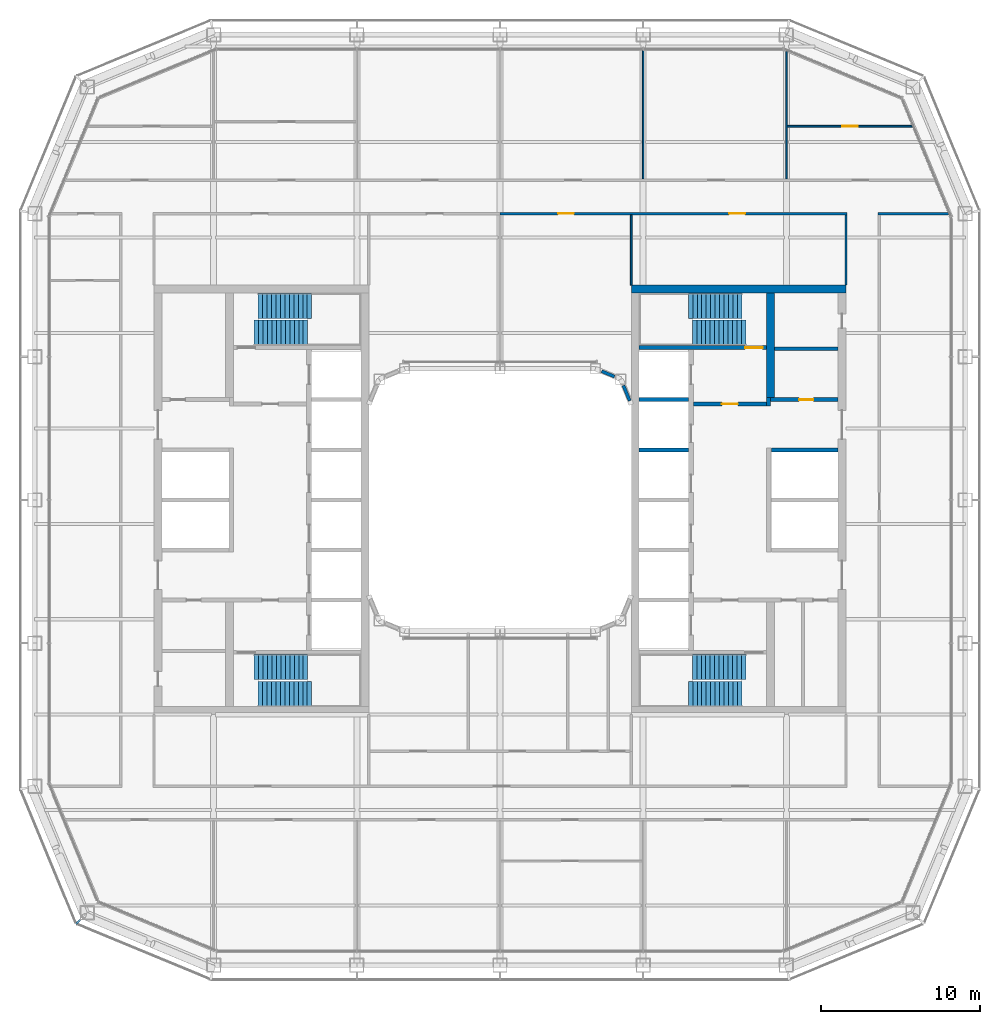
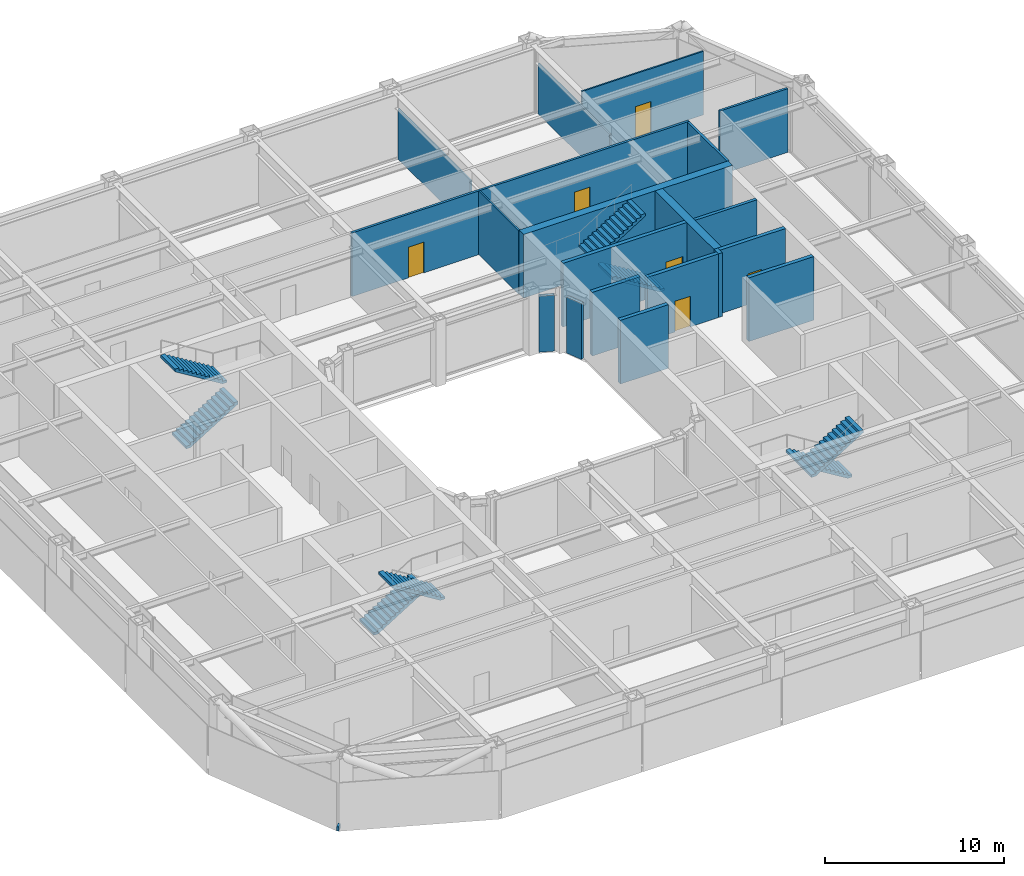
# One storey, part 14 of 21: 19 walls, 8 stair flights, 6 doors, 1 discrete accessory, 6 openings, 4 elements without a shape of their own.
"""IFC4 building model written with IfcOpenShell, lengths in metres."""

from ifc_helpers import new_model, si_unit, direction, frame, frame_2d, origin, origin_2d, place, context, subcontext, project, spatial, polyline, rectangle, outline, extrude, material, layer, layer_set, type_object, element, fill, aggregate, save


model = new_model("IFC4")

# Units and contexts
model_context = context("Model", 3, precision=1e-05, world=origin(), true_north=direction((0.0, 1.0)))
body_context = subcontext(model_context, "Body", "Model", "MODEL_VIEW")
ifc_project = project(units=[si_unit("LENGTHUNIT", "METRE"), si_unit("AREAUNIT", "SQUARE_METRE"), si_unit("VOLUMEUNIT", "CUBIC_METRE"), si_unit("PLANEANGLEUNIT", "RADIAN"), si_unit("MASSUNIT", "GRAM", prefix="KILO")], contexts=[model_context])

# Site, building, storey
site_placement = place(None, origin())
site = spatial("IfcSite", under=ifc_project, at=site_placement, CompositionType="ELEMENT")
building_placement = place(site_placement, origin())
building = spatial("IfcBuilding", under=site, at=building_placement, Name="Siwar Civic Tower", CompositionType="ELEMENT")
storey_placement = place(building_placement, frame((0.0, 0.0, 158.699951171875)))
storey = spatial("IfcBuildingStorey", under=building, at=storey_placement, Name="L34", CompositionType="ELEMENT", Elevation=158.699951171875)

# Wall
ifc_material_1 = material(Name="Gypsum board on steel studs", Category="steel")
ifc_layer_1 = layer(ifc_material_1, 0.199951171875)
ifc_layer_set_1 = layer_set([ifc_layer_1], Name="Gypsum board on steel studs")
wall_type_1 = type_object("IfcWallType", Name="CORE-PARTITION-200", PredefinedType="PARTITIONING", material=ifc_layer_set_1)
wall_1_placement = place(storey_placement, frame((17.25, 9.5, 0.0), z_axis=(0.0, 0.0, 1.0), x_axis=(1.0, 0.0, 0.0)))
element("IfcWall", 1, at=wall_1_placement, inside=storey, type_object=wall_type_1, Name="Core partition E", PredefinedType="PARTITIONING", context=body_context, shape_type="SweptSolid", body=[
    extrude(rectangle(XDim=4.0, YDim=0.199951171875, at=frame_2d((2.0, 0.0))), origin(), (0.0, 0.0, 1.0), 4.35009765625),
])

# Wall, opening, door
ifc_material_2 = material(Name="Concrete C60/75", Category="concrete")
ifc_layer_2 = layer(ifc_material_2, 0.25)
ifc_layer_set_2 = layer_set([ifc_layer_2], Name="Concrete C60/75")
wall_type_2 = type_object("IfcWallType", Name="CORE-WALL-RC250", PredefinedType="SHEAR", material=ifc_layer_set_2)
wall_2_placement = place(storey_placement, frame((12.14990234375, 6.02490234375, 0.0), z_axis=(0.0, 0.0, 1.0), x_axis=(1.0, 0.0, 0.0)))
wall_2 = element("IfcWall", 2, at=wall_2_placement, inside=storey, type_object=wall_type_2, Name="Core wall E", PredefinedType="SHEAR", context=body_context, shape_type="SweptSolid", body=[
    extrude(rectangle(XDim=4.60009765625, YDim=0.25, at=frame_2d((2.300048828125, 0.0))), origin(), (0.0, 0.0, 1.0), 4.35009765625),
])
opening_1_placement = place(wall_2_placement, frame((1.800048828125, 0.0, 0.0)))
opening_1 = element("IfcOpeningElement", 3, at=opening_1_placement, cuts=wall_2, Name="Opening L34-CE01", PredefinedType="OPENING", context=body_context, shape_type="SweptSolid", body=[
    extrude(rectangle(XDim=1.0, YDim=2.10009765625, at=frame_2d((0.5, 1.050048828125))), frame((0.0, 0.135009765625, 0.0), z_axis=(0.0, -1.0, 0.0), x_axis=(1.0, 0.0, 0.0)), (0.0, 0.0, 1.0), 0.27001953125),
])
ifc_material_3 = material(Name="Steel door leaf", Category="steel")
door_type_1 = type_object("IfcDoorType", Name="CORE-DOOR-FD30S", OperationType="SINGLE_SWING_LEFT", PredefinedType="DOOR", material=ifc_material_3)
door_1_placement = place(opening_1_placement, origin())
door_1 = element("IfcDoor", 4, at=door_1_placement, inside=storey, type_object=door_type_1, Name="Firefighting lobby door L34-CE01", OperationType="SINGLE_SWING_RIGHT", OverallHeight=2.10009765625, OverallWidth=1.0, PredefinedType="DOOR", context=body_context, shape_type="SweptSolid", body=[
    extrude(rectangle(XDim=1.0, YDim=2.10009765625, at=frame_2d((0.5, 1.050048828125))), frame((0.0, 0.02490234375, 0.0), z_axis=(0.0, -1.0, 0.0), x_axis=(1.0, 0.0, 0.0)), (0.0, 0.0, 1.0), 0.050048828125),
])
fill(opening_1, door_1)

# Wall
wall_3_placement = place(storey_placement, frame((16.875, 5.89990234375, 0.0), z_axis=(0.0, 0.0, 1.0), x_axis=(0.0, 1.0, 0.0)))
element("IfcWall", 5, at=wall_3_placement, inside=storey, type_object=wall_type_2, Name="Core wall E", PredefinedType="SHEAR", context=body_context, shape_type="SweptSolid", body=[
    extrude(rectangle(XDim=0.525146484375, YDim=0.25, at=frame_2d((0.2626953125, 0.0))), origin(), (0.0, 0.0, 1.0), 4.35009765625),
])

# Wall, opening, door
wall_4_placement = place(storey_placement, frame((17.0, 6.300048828125, 0.0), z_axis=(0.0, 0.0, 1.0), x_axis=(1.0, 0.0, 0.0)))
wall_4 = element("IfcWall", 6, at=wall_4_placement, inside=storey, type_object=wall_type_2, Name="Core wall E", PredefinedType="SHEAR", context=body_context, shape_type="SweptSolid", body=[
    extrude(rectangle(XDim=4.25, YDim=0.25, at=frame_2d((2.125, 0.0))), origin(), (0.0, 0.0, 1.0), 4.35009765625),
])
opening_2_placement = place(wall_4_placement, frame((1.800048828125, 0.0, 0.0)))
opening_2 = element("IfcOpeningElement", 7, at=opening_2_placement, cuts=wall_4, Name="Opening L34-CE13", PredefinedType="OPENING", context=body_context, shape_type="SweptSolid", body=[
    extrude(rectangle(XDim=0.89990234375, YDim=2.10009765625, at=frame_2d((0.449951171875, 1.050048828125))), frame((0.0, 0.135009765625, 0.0), z_axis=(0.0, -1.0, 0.0), x_axis=(1.0, 0.0, 0.0)), (0.0, 0.0, 1.0), 0.27001953125),
])
ifc_material_4 = material(Name="Steel door leaf", Category="steel")
door_type_2 = type_object("IfcDoorType", Name="CORE-DOOR-ROOM", OperationType="SINGLE_SWING_LEFT", PredefinedType="DOOR", material=ifc_material_4)
door_2_placement = place(opening_2_placement, origin())
door_2 = element("IfcDoor", 8, at=door_2_placement, inside=storey, type_object=door_type_2, Name="Core room door L34-CE13", OperationType="SINGLE_SWING_RIGHT", OverallHeight=2.10009765625, OverallWidth=0.89990234375, PredefinedType="DOOR", context=body_context, shape_type="SweptSolid", body=[
    extrude(rectangle(XDim=0.89990234375, YDim=2.10009765625, at=frame_2d((0.449951171875, 1.050048828125))), frame((0.0, 0.02490234375, 0.0), z_axis=(0.0, -1.0, 0.0), x_axis=(1.0, 0.0, 0.0)), (0.0, 0.0, 1.0), 0.050048828125),
])
fill(opening_2, door_2)

# Walls
wall_5_placement = place(storey_placement, frame((17.050048828125, 3.14990234375, 0.0), z_axis=(0.0, 0.0, 1.0), x_axis=(1.0, 0.0, 0.0)))
element("IfcWall", 9, at=wall_5_placement, inside=storey, type_object=wall_type_2, Name="Core wall E", PredefinedType="SHEAR", context=body_context, shape_type="SweptSolid", body=[
    extrude(rectangle(XDim=4.199951171875, YDim=0.25, at=frame_2d((2.10009765625, 0.0))), origin(), (0.0, 0.0, 1.0), 4.35009765625),
])
for number, where, z_axis, x_axis, name in (
    (10, (8.75, 3.14990234375, 0.0), (0.0, 0.0, 1.0), (1.0, 0.0, 0.0), "Core wall E"),
    (11, (8.75, 6.300048828125, 0.0), (0.0, 0.0, 1.0), (1.0, 0.0, 0.0), "Core wall E"),
):
    element("IfcWall", number, at=place(storey_placement, frame(where, z_axis=z_axis, x_axis=x_axis)), inside=storey, type_object=wall_type_2, Name=name, PredefinedType="SHEAR", context=body_context, shape_type="SweptSolid", body=[
        extrude(rectangle(XDim=3.10009765625, YDim=0.25, at=frame_2d((1.550048828125, 0.0))), origin(), (0.0, 0.0, 1.0), 4.35009765625),
    ])

# Wall, opening, door
wall_6_placement = place(storey_placement, frame((8.75, 9.574951171875, 0.0), z_axis=(0.0, 0.0, 1.0), x_axis=(1.0, 0.0, 0.0)))
wall_6 = element("IfcWall", 12, at=wall_6_placement, inside=storey, type_object=wall_type_2, Name="Core wall E", PredefinedType="SHEAR", context=body_context, shape_type="SweptSolid", body=[
    extrude(rectangle(XDim=8.0, YDim=0.25, at=frame_2d((4.0, 0.0))), origin(), (0.0, 0.0, 1.0), 4.35009765625),
])
opening_3_placement = place(wall_6_placement, frame((6.64990234375, 0.0, 0.0)))
opening_3 = element("IfcOpeningElement", 13, at=opening_3_placement, cuts=wall_6, Name="Opening L34-CE03", PredefinedType="OPENING", context=body_context, shape_type="SweptSolid", body=[
    extrude(rectangle(XDim=1.10009765625, YDim=2.10009765625, at=frame_2d((0.550048828125, 1.050048828125))), frame((0.0, 0.135009765625, 0.0), z_axis=(0.0, -1.0, 0.0), x_axis=(1.0, 0.0, 0.0)), (0.0, 0.0, 1.0), 0.27001953125),
])
ifc_material_5 = material(Name="Steel door leaf", Category="steel")
door_type_3 = type_object("IfcDoorType", Name="CORE-DOOR-FD60S", OperationType="SINGLE_SWING_LEFT", PredefinedType="DOOR", material=ifc_material_5)
door_3_placement = place(opening_3_placement, origin())
door_3 = element("IfcDoor", 14, at=door_3_placement, inside=storey, type_object=door_type_3, Name="Stair door L34-CE03", OperationType="SINGLE_SWING_LEFT", OverallHeight=2.10009765625, OverallWidth=1.10009765625, PredefinedType="DOOR", context=body_context, shape_type="SweptSolid", body=[
    extrude(rectangle(XDim=1.10009765625, YDim=2.10009765625, at=frame_2d((0.550048828125, 1.050048828125))), frame((0.0, 0.02490234375, 0.0), z_axis=(0.0, -1.0, 0.0), x_axis=(1.0, 0.0, 0.0)), (0.0, 0.0, 1.0), 0.050048828125),
])
fill(opening_3, door_3)

# Walls
ifc_material_6 = material(Name="Concrete C60/75", Category="concrete")
ifc_layer_3 = layer(ifc_material_6, 0.5)
ifc_layer_set_3 = layer_set([ifc_layer_3], Name="Concrete C60/75")
wall_type_3 = type_object("IfcWallType", Name="CORE-WALL-RC500", PredefinedType="SHEAR", material=ifc_layer_set_3)
wall_7_placement = place(storey_placement, frame((17.0, 6.425048828125, 0.0), z_axis=(0.0, 0.0, 1.0), x_axis=(0.0, 1.0, 0.0)))
element("IfcWall", 15, at=wall_7_placement, inside=storey, type_object=wall_type_3, Name="Core wall E", PredefinedType="SHEAR", context=body_context, shape_type="SweptSolid", body=[
    extrude(rectangle(XDim=6.574951171875, YDim=0.5, at=frame_2d((3.28759765625, 0.0))), origin(), (0.0, 0.0, 1.0), 4.35009765625),
])
wall_8_placement = place(storey_placement, frame((8.25, 13.25, 0.0), z_axis=(0.0, 0.0, 1.0), x_axis=(1.0, 0.0, 0.0)))
element("IfcWall", 16, at=wall_8_placement, inside=storey, type_object=wall_type_3, Name="Core wall E", PredefinedType="SHEAR", context=body_context, shape_type="SweptSolid", body=[
    extrude(rectangle(XDim=13.5, YDim=0.5, at=frame_2d((6.75, 0.0))), origin(), (0.0, 0.0, 1.0), 4.35009765625),
])

# Wall, openings, doors
ifc_material_7 = material(Name="Gypsum board on steel studs", Category="steel")
ifc_layer_4 = layer(ifc_material_7, 0.14990234375)
ifc_layer_set_4 = layer_set([ifc_layer_4], Name="Gypsum board on steel studs")
wall_type_4 = type_object("IfcWallType", Name="CORRIDOR PARTITION 150 EI 30", PredefinedType="PARTITIONING", material=ifc_layer_set_4)
wall_9_placement = place(storey_placement, frame((0.0, 18.0, 0.0), z_axis=(0.0, 0.0, 1.0), x_axis=(1.0, 0.0, 0.0)))
wall_9 = element("IfcWall", 17, at=wall_9_placement, inside=storey, type_object=wall_type_4, Name="L34/wall/P11", PredefinedType="PARTITIONING", context=body_context, shape_type="SweptSolid", body=[
    extrude(rectangle(XDim=21.824951171875, YDim=0.14990234375, at=frame_2d((10.91259765625, 0.0))), origin(), (0.0, 0.0, 1.0), 4.35009765625),
])
opening_4_placement = place(wall_9_placement, frame((3.64990234375, 0.0, 0.0)))
opening_4 = element("IfcOpeningElement", 18, at=opening_4_placement, cuts=wall_9, Name="Opening D1", PredefinedType="OPENING", context=body_context, shape_type="SweptSolid", body=[
    extrude(rectangle(XDim=1.0, YDim=2.10009765625, at=frame_2d((0.5, 1.050048828125))), frame((0.0, 0.0849609375, 0.0), z_axis=(0.0, -1.0, 0.0), x_axis=(1.0, 0.0, 0.0)), (0.0, 0.0, 1.0), 0.169921875),
])
opening_5_placement = place(wall_9_placement, frame((14.39990234375, 0.0, 0.0)))
opening_5 = element("IfcOpeningElement", 19, at=opening_5_placement, cuts=wall_9, Name="Opening D1", PredefinedType="OPENING", context=body_context, shape_type="SweptSolid", body=[
    extrude(rectangle(XDim=1.0, YDim=2.10009765625, at=frame_2d((0.5, 1.050048828125))), frame((0.0, 0.0849609375, 0.0), z_axis=(0.0, -1.0, 0.0), x_axis=(1.0, 0.0, 0.0)), (0.0, 0.0, 1.0), 0.169921875),
])
ifc_material_8 = material(Name="Timber, painted", Category="wood")
door_type_4 = type_object("IfcDoorType", Name="DOOR 1000 X 2100 FD30", OperationType="SINGLE_SWING_LEFT", PredefinedType="DOOR", material=ifc_material_8)
door_4_placement = place(opening_4_placement, origin())
door_4 = element("IfcDoor", 20, at=door_4_placement, inside=storey, type_object=door_type_4, Name="L34-D18", OperationType="SINGLE_SWING_RIGHT", OverallHeight=2.10009765625, OverallWidth=1.0, PredefinedType="DOOR", context=body_context, shape_type="SweptSolid", body=[
    extrude(rectangle(XDim=1.0, YDim=2.10009765625, at=frame_2d((0.5, 1.050048828125))), frame((0.0, 0.02490234375, 0.0), z_axis=(0.0, -1.0, 0.0), x_axis=(1.0, 0.0, 0.0)), (0.0, 0.0, 1.0), 0.050048828125),
])
fill(opening_4, door_4)
door_5_placement = place(opening_5_placement, origin())
door_5 = element("IfcDoor", 21, at=door_5_placement, inside=storey, type_object=door_type_4, Name="L34-D25", OperationType="SINGLE_SWING_LEFT", OverallHeight=2.10009765625, OverallWidth=1.0, PredefinedType="DOOR", context=body_context, shape_type="SweptSolid", body=[
    extrude(rectangle(XDim=1.0, YDim=2.10009765625, at=frame_2d((0.5, 1.050048828125))), frame((0.0, 0.02490234375, 0.0), z_axis=(0.0, -1.0, 0.0), x_axis=(1.0, 0.0, 0.0)), (0.0, 0.0, 1.0), 0.050048828125),
])
fill(opening_5, door_5)

# Walls
wall_10_placement = place(storey_placement, frame((23.77490234375, 18.0, 0.0), z_axis=(0.0, 0.0, 1.0), x_axis=(1.0, 0.0, 0.0)))
element("IfcWall", 22, at=wall_10_placement, inside=storey, type_object=wall_type_4, Name="L34/wall/P12", PredefinedType="PARTITIONING", context=body_context, shape_type="SweptSolid", body=[
    extrude(rectangle(XDim=4.403076171875, YDim=0.14990234375, at=frame_2d((2.20166015625, 0.0))), origin(), (0.0, 0.0, 1.0), 4.35009765625),
])
wall_11_placement = place(storey_placement, frame((21.75, 13.5, 0.0), z_axis=(0.0, 0.0, 1.0), x_axis=(0.0, 1.0, 0.0)))
element("IfcWall", 23, at=wall_11_placement, inside=storey, type_object=wall_type_4, Name="L34/wall/P41", PredefinedType="PARTITIONING", context=body_context, shape_type="SweptSolid", body=[
    extrude(rectangle(XDim=4.425048828125, YDim=0.14990234375, at=frame_2d((2.21240234375, 0.0))), origin(), (0.0, 0.0, 1.0), 4.35009765625),
])
ifc_material_9 = material(Name="Aluminium clad insulated panel", Category="aluminium")
ifc_layer_5 = layer(ifc_material_9, 0.199951171875)
ifc_layer_set_5 = layer_set([ifc_layer_5], Name="Aluminium clad insulated panel")
wall_type_5 = type_object("IfcWallType", Name="ENV-WALL-WELL", PredefinedType="STANDARD", material=ifc_layer_set_5)
wall_12_placement = place(storey_placement, frame((8.154296875, 6.23095703125, 0.0), z_axis=(0.0, 0.0, 1.0), x_axis=(-0.382694858887, 0.923874799408, 0.0)))
element("IfcWall", 24, at=wall_12_placement, inside=storey, type_object=wall_type_5, Name="Light well corner wall NE1", PredefinedType="STANDARD", context=body_context, shape_type="SweptSolid", body=[
    extrude(rectangle(XDim=1.047607421875, YDim=0.199951171875, at=frame_2d((0.52392578125, 0.0))), origin(), (0.0, 0.0, 1.0), 3.825927734375),
])
wall_13_placement = place(storey_placement, frame((7.19873046875, 7.75341796875, 0.0), z_axis=(0.0, 0.0, 1.0), x_axis=(-0.923894108428, 0.382648241093, 0.0)))
element("IfcWall", 25, at=wall_13_placement, inside=storey, type_object=wall_type_5, Name="Light well corner wall NE2", PredefinedType="STANDARD", context=body_context, shape_type="SweptSolid", body=[
    extrude(rectangle(XDim=0.872802734375, YDim=0.199951171875, at=frame_2d((0.4365234375, 0.0))), origin(), (0.0, 0.0, 1.0), 3.825927734375),
])

# Wall, opening, door
ifc_material_10 = material(Name="Gypsum board on steel studs", Category="steel")
ifc_layer_6 = layer(ifc_material_10, 0.10009765625)
ifc_layer_set_6 = layer_set([ifc_layer_6], Name="Gypsum board on steel studs")
wall_type_6 = type_object("IfcWallType", Name="PARTITION 100 GYPSUM", PredefinedType="PARTITIONING", material=ifc_layer_set_6)
wall_14_placement = place(storey_placement, frame((18.050048828125, 23.492919921875, 0.0), z_axis=(0.0, 0.0, 1.0), x_axis=(1.0, 0.0, 0.0)))
wall_14 = element("IfcWall", 26, at=wall_14_placement, inside=storey, type_object=wall_type_6, Name="L34/wall/P16", PredefinedType="PARTITIONING", context=body_context, shape_type="SweptSolid", body=[
    extrude(rectangle(XDim=7.85302734375, YDim=0.10009765625, at=frame_2d((3.926513671875, 0.0))), origin(), (0.0, 0.0, 1.0), 4.35009765625),
])
opening_6_placement = place(wall_14_placement, frame((3.452880859375, 0.0, 0.0)))
opening_6 = element("IfcOpeningElement", 27, at=opening_6_placement, cuts=wall_14, Name="Opening D2", PredefinedType="OPENING", context=body_context, shape_type="SweptSolid", body=[
    extrude(rectangle(XDim=1.0, YDim=2.10009765625, at=frame_2d((0.5, 1.050048828125))), frame((0.0, 0.06005859375, 0.0), z_axis=(0.0, -1.0, 0.0), x_axis=(1.0, 0.0, 0.0)), (0.0, 0.0, 1.0), 0.1201171875),
])
ifc_material_11 = material(Name="Timber, painted", Category="wood")
door_type_5 = type_object("IfcDoorType", Name="DOOR 1000 X 2100", OperationType="SINGLE_SWING_LEFT", PredefinedType="DOOR", material=ifc_material_11)
door_6_placement = place(opening_6_placement, origin())
door_6 = element("IfcDoor", 28, at=door_6_placement, inside=storey, type_object=door_type_5, Name="L34-D14", OperationType="SINGLE_SWING_RIGHT", OverallHeight=2.10009765625, OverallWidth=1.0, PredefinedType="DOOR", context=body_context, shape_type="SweptSolid", body=[
    extrude(rectangle(XDim=1.0, YDim=2.10009765625, at=frame_2d((0.5, 1.050048828125))), frame((0.0, 0.02490234375, 0.0), z_axis=(0.0, -1.0, 0.0), x_axis=(1.0, 0.0, 0.0)), (0.0, 0.0, 1.0), 0.050048828125),
])
fill(opening_6, door_6)

# Walls
wall_15_placement = place(storey_placement, frame((8.25, 13.5, 0.0), z_axis=(0.0, 0.0, 1.0), x_axis=(0.0, 1.0, 0.0)))
element("IfcWall", 29, at=wall_15_placement, inside=storey, type_object=wall_type_6, Name="L34/wall/P33", PredefinedType="PARTITIONING", context=body_context, shape_type="SweptSolid", body=[
    extrude(rectangle(XDim=4.425048828125, YDim=0.10009765625, at=frame_2d((2.21240234375, 0.0))), origin(), (0.0, 0.0, 1.0), 4.35009765625),
])
wall_16_placement = place(storey_placement, frame((9.0, 20.175048828125, 0.0), z_axis=(0.0, 0.0, 1.0), x_axis=(0.0, 1.0, 0.0)))
element("IfcWall", 30, at=wall_16_placement, inside=storey, type_object=wall_type_6, Name="L34/wall/P37", PredefinedType="PARTITIONING", context=body_context, shape_type="SweptSolid", body=[
    extrude(rectangle(XDim=8.0849609375, YDim=0.10009765625, at=frame_2d((4.04248046875, 0.0))), origin(), (0.0, 0.0, 1.0), 3.449951171875),
])
wall_17_placement = place(storey_placement, frame((18.0, 20.175048828125, 0.0), z_axis=(0.0, 0.0, 1.0), x_axis=(0.0, 1.0, 0.0)))
element("IfcWall", 31, at=wall_17_placement, inside=storey, type_object=wall_type_6, Name="L34/wall/P39", PredefinedType="PARTITIONING", context=body_context, shape_type="SweptSolid", body=[
    extrude(rectangle(XDim=8.0029296875, YDim=0.10009765625, at=frame_2d((4.00146484375, 0.0))), origin(), (0.0, 0.0, 1.0), 3.449951171875),
])

# Stair, stair flights
ifc_material_12 = material(Name="Concrete C40/50", Category="concrete")
stair_type = type_object("IfcStairType", Name="CORE-STAIR", PredefinedType="TWO_STRAIGHT_RUN_STAIR", material=ifc_material_12)
stair_1_placement = place(storey_placement, origin())
stair_1 = element("IfcStair", 32, at=stair_1_placement, inside=storey, type_object=stair_type, Name="Exit stair ST1", PredefinedType="TWO_STRAIGHT_RUN_STAIR")
ifc_material_13 = material(Name="Concrete C40/50", Category="concrete")
stair_flight_type = type_object("IfcStairFlightType", Name="CORE-STAIR-FLIGHT", PredefinedType="STRAIGHT", material=ifc_material_13)
stair_flight_1_placement = place(storey_placement, frame((-15.449951171875, 10.5, 0.0), z_axis=(0.0, 0.0, 1.0), x_axis=(1.0, 0.0, 0.0)))
stair_flight_1 = element("IfcStairFlight", 33, at=stair_flight_1_placement, type_object=stair_flight_type, Name="ST1 flight 1", NumberOfRisers=13, NumberOfTreads=12, PredefinedType="STRAIGHT", RiserHeight=0.173076923, TreadLength=0.28, context=body_context, shape_type="SweptSolid", body=[
    extrude(outline(polyline([(0.0, 0.0), (0.0, 0.173095703125), (0.280029296875, 0.173095703125), (0.280029296875, 0.34619140625), (0.56005859375, 0.34619140625), (0.56005859375, 0.519287109375), (0.840087890625, 0.519287109375), (0.840087890625, 0.6923828125), (1.1201171875, 0.6923828125), (1.1201171875, 0.865478515625), (1.39990234375, 0.865478515625), (1.39990234375, 1.03857421875), (1.679931640625, 1.03857421875), (1.679931640625, 1.21142578125), (1.9599609375, 1.21142578125), (1.9599609375, 1.384521484375), (2.239990234375, 1.384521484375), (2.239990234375, 1.5576171875), (2.52001953125, 1.5576171875), (2.52001953125, 1.730712890625), (2.800048828125, 1.730712890625), (2.800048828125, 1.90380859375), (3.080078125, 1.90380859375), (3.080078125, 2.076904296875), (3.360107421875, 2.076904296875), (3.360107421875, 2.25), (3.360107421875, 1.900634765625), (0.28515625, 0.0), (0.0, 0.0)])), frame((0.0, 0.800048828125, 0.0), z_axis=(0.0, -1.0, 0.0), x_axis=(1.0, 0.0, 0.0)), (0.0, 0.0, 1.0), 1.60009765625),
])
stair_flight_2_placement = place(storey_placement, frame((-11.840087890625, 12.199951171875, 2.25), z_axis=(0.0, 0.0, 1.0), x_axis=(-1.0, 0.0, 0.0)))
stair_flight_2 = element("IfcStairFlight", 34, at=stair_flight_2_placement, type_object=stair_flight_type, Name="ST1 flight 2", NumberOfRisers=13, NumberOfTreads=12, PredefinedType="STRAIGHT", RiserHeight=0.173076923, TreadLength=0.28, context=body_context, shape_type="SweptSolid", body=[
    extrude(outline(polyline([(0.0, 0.0), (0.0, 0.173095703125), (0.280029296875, 0.173095703125), (0.280029296875, 0.34619140625), (0.56005859375, 0.34619140625), (0.56005859375, 0.519287109375), (0.840087890625, 0.519287109375), (0.840087890625, 0.6923828125), (1.1201171875, 0.6923828125), (1.1201171875, 0.865478515625), (1.39990234375, 0.865478515625), (1.39990234375, 1.03857421875), (1.679931640625, 1.03857421875), (1.679931640625, 1.21142578125), (1.9599609375, 1.21142578125), (1.9599609375, 1.384521484375), (2.239990234375, 1.384521484375), (2.239990234375, 1.5576171875), (2.52001953125, 1.5576171875), (2.52001953125, 1.730712890625), (2.800048828125, 1.730712890625), (2.800048828125, 1.90380859375), (3.080078125, 1.90380859375), (3.080078125, 2.076904296875), (3.360107421875, 2.076904296875), (3.360107421875, 2.25), (3.360107421875, 1.900634765625), (0.28515625, 0.0), (0.0, 0.0)])), frame((0.0, 0.800048828125, 0.0), z_axis=(0.0, -1.0, 0.0), x_axis=(1.0, 0.0, 0.0)), (0.0, 0.0, 1.0), 1.60009765625),
])
aggregate(stair_1, [stair_flight_1, stair_flight_2])

stair_2_placement = place(storey_placement, origin())
stair_2 = element("IfcStair", 35, at=stair_2_placement, inside=storey, type_object=stair_type, Name="Exit stair ST2", PredefinedType="TWO_STRAIGHT_RUN_STAIR")
stair_flight_3_placement = place(storey_placement, frame((-15.449951171875, -10.5, 0.0), z_axis=(0.0, 0.0, 1.0), x_axis=(1.0, 0.0, 0.0)))
stair_flight_3 = element("IfcStairFlight", 36, at=stair_flight_3_placement, type_object=stair_flight_type, Name="ST2 flight 1", NumberOfRisers=13, NumberOfTreads=12, PredefinedType="STRAIGHT", RiserHeight=0.173076923, TreadLength=0.28, context=body_context, shape_type="SweptSolid", body=[
    extrude(outline(polyline([(0.0, 0.0), (0.0, 0.173095703125), (0.280029296875, 0.173095703125), (0.280029296875, 0.34619140625), (0.56005859375, 0.34619140625), (0.56005859375, 0.519287109375), (0.840087890625, 0.519287109375), (0.840087890625, 0.6923828125), (1.1201171875, 0.6923828125), (1.1201171875, 0.865478515625), (1.39990234375, 0.865478515625), (1.39990234375, 1.03857421875), (1.679931640625, 1.03857421875), (1.679931640625, 1.21142578125), (1.9599609375, 1.21142578125), (1.9599609375, 1.384521484375), (2.239990234375, 1.384521484375), (2.239990234375, 1.5576171875), (2.52001953125, 1.5576171875), (2.52001953125, 1.730712890625), (2.800048828125, 1.730712890625), (2.800048828125, 1.90380859375), (3.080078125, 1.90380859375), (3.080078125, 2.076904296875), (3.360107421875, 2.076904296875), (3.360107421875, 2.25), (3.360107421875, 1.900634765625), (0.28515625, 0.0), (0.0, 0.0)])), frame((0.0, 0.800048828125, 0.0), z_axis=(0.0, -1.0, 0.0), x_axis=(1.0, 0.0, 0.0)), (0.0, 0.0, 1.0), 1.60009765625),
])
stair_flight_4_placement = place(storey_placement, frame((-11.840087890625, -12.199951171875, 2.25), z_axis=(0.0, 0.0, 1.0), x_axis=(-1.0, 0.0, 0.0)))
stair_flight_4 = element("IfcStairFlight", 37, at=stair_flight_4_placement, type_object=stair_flight_type, Name="ST2 flight 2", NumberOfRisers=13, NumberOfTreads=12, PredefinedType="STRAIGHT", RiserHeight=0.173076923, TreadLength=0.28, context=body_context, shape_type="SweptSolid", body=[
    extrude(outline(polyline([(0.0, 0.0), (0.0, 0.173095703125), (0.280029296875, 0.173095703125), (0.280029296875, 0.34619140625), (0.56005859375, 0.34619140625), (0.56005859375, 0.519287109375), (0.840087890625, 0.519287109375), (0.840087890625, 0.6923828125), (1.1201171875, 0.6923828125), (1.1201171875, 0.865478515625), (1.39990234375, 0.865478515625), (1.39990234375, 1.03857421875), (1.679931640625, 1.03857421875), (1.679931640625, 1.21142578125), (1.9599609375, 1.21142578125), (1.9599609375, 1.384521484375), (2.239990234375, 1.384521484375), (2.239990234375, 1.5576171875), (2.52001953125, 1.5576171875), (2.52001953125, 1.730712890625), (2.800048828125, 1.730712890625), (2.800048828125, 1.90380859375), (3.080078125, 1.90380859375), (3.080078125, 2.076904296875), (3.360107421875, 2.076904296875), (3.360107421875, 2.25), (3.360107421875, 1.900634765625), (0.28515625, 0.0), (0.0, 0.0)])), frame((0.0, 0.800048828125, 0.0), z_axis=(0.0, -1.0, 0.0), x_axis=(1.0, 0.0, 0.0)), (0.0, 0.0, 1.0), 1.60009765625),
])
aggregate(stair_2, [stair_flight_3, stair_flight_4])

stair_3_placement = place(storey_placement, origin())
stair_3 = element("IfcStair", 38, at=stair_3_placement, inside=storey, type_object=stair_type, Name="Exit stair ST3", PredefinedType="TWO_STRAIGHT_RUN_STAIR")
stair_flight_5_placement = place(storey_placement, frame((15.449951171875, 10.5, 0.0), z_axis=(0.0, 0.0, 1.0), x_axis=(-1.0, 0.0, 0.0)))
stair_flight_5 = element("IfcStairFlight", 39, at=stair_flight_5_placement, type_object=stair_flight_type, Name="ST3 flight 1", NumberOfRisers=13, NumberOfTreads=12, PredefinedType="STRAIGHT", RiserHeight=0.173076923, TreadLength=0.28, context=body_context, shape_type="SweptSolid", body=[
    extrude(outline(polyline([(0.0, 0.0), (0.0, 0.173095703125), (0.280029296875, 0.173095703125), (0.280029296875, 0.34619140625), (0.56005859375, 0.34619140625), (0.56005859375, 0.519287109375), (0.840087890625, 0.519287109375), (0.840087890625, 0.6923828125), (1.1201171875, 0.6923828125), (1.1201171875, 0.865478515625), (1.39990234375, 0.865478515625), (1.39990234375, 1.03857421875), (1.679931640625, 1.03857421875), (1.679931640625, 1.21142578125), (1.9599609375, 1.21142578125), (1.9599609375, 1.384521484375), (2.239990234375, 1.384521484375), (2.239990234375, 1.5576171875), (2.52001953125, 1.5576171875), (2.52001953125, 1.730712890625), (2.800048828125, 1.730712890625), (2.800048828125, 1.90380859375), (3.080078125, 1.90380859375), (3.080078125, 2.076904296875), (3.360107421875, 2.076904296875), (3.360107421875, 2.25), (3.360107421875, 1.900634765625), (0.28515625, 0.0), (0.0, 0.0)])), frame((0.0, 0.800048828125, 0.0), z_axis=(0.0, -1.0, 0.0), x_axis=(1.0, 0.0, 0.0)), (0.0, 0.0, 1.0), 1.60009765625),
])
stair_flight_6_placement = place(storey_placement, frame((11.840087890625, 12.199951171875, 2.25), z_axis=(0.0, 0.0, 1.0), x_axis=(1.0, 0.0, 0.0)))
stair_flight_6 = element("IfcStairFlight", 40, at=stair_flight_6_placement, type_object=stair_flight_type, Name="ST3 flight 2", NumberOfRisers=13, NumberOfTreads=12, PredefinedType="STRAIGHT", RiserHeight=0.173076923, TreadLength=0.28, context=body_context, shape_type="SweptSolid", body=[
    extrude(outline(polyline([(0.0, 0.0), (0.0, 0.173095703125), (0.280029296875, 0.173095703125), (0.280029296875, 0.34619140625), (0.56005859375, 0.34619140625), (0.56005859375, 0.519287109375), (0.840087890625, 0.519287109375), (0.840087890625, 0.6923828125), (1.1201171875, 0.6923828125), (1.1201171875, 0.865478515625), (1.39990234375, 0.865478515625), (1.39990234375, 1.03857421875), (1.679931640625, 1.03857421875), (1.679931640625, 1.21142578125), (1.9599609375, 1.21142578125), (1.9599609375, 1.384521484375), (2.239990234375, 1.384521484375), (2.239990234375, 1.5576171875), (2.52001953125, 1.5576171875), (2.52001953125, 1.730712890625), (2.800048828125, 1.730712890625), (2.800048828125, 1.90380859375), (3.080078125, 1.90380859375), (3.080078125, 2.076904296875), (3.360107421875, 2.076904296875), (3.360107421875, 2.25), (3.360107421875, 1.900634765625), (0.28515625, 0.0), (0.0, 0.0)])), frame((0.0, 0.800048828125, 0.0), z_axis=(0.0, -1.0, 0.0), x_axis=(1.0, 0.0, 0.0)), (0.0, 0.0, 1.0), 1.60009765625),
])
aggregate(stair_3, [stair_flight_5, stair_flight_6])

stair_4_placement = place(storey_placement, origin())
stair_4 = element("IfcStair", 41, at=stair_4_placement, inside=storey, type_object=stair_type, Name="Exit stair ST4", PredefinedType="TWO_STRAIGHT_RUN_STAIR")
stair_flight_7_placement = place(storey_placement, frame((15.449951171875, -10.5, 0.0), z_axis=(0.0, 0.0, 1.0), x_axis=(-1.0, 0.0, 0.0)))
stair_flight_7 = element("IfcStairFlight", 42, at=stair_flight_7_placement, type_object=stair_flight_type, Name="ST4 flight 1", NumberOfRisers=13, NumberOfTreads=12, PredefinedType="STRAIGHT", RiserHeight=0.173076923, TreadLength=0.28, context=body_context, shape_type="SweptSolid", body=[
    extrude(outline(polyline([(0.0, 0.0), (0.0, 0.173095703125), (0.280029296875, 0.173095703125), (0.280029296875, 0.34619140625), (0.56005859375, 0.34619140625), (0.56005859375, 0.519287109375), (0.840087890625, 0.519287109375), (0.840087890625, 0.6923828125), (1.1201171875, 0.6923828125), (1.1201171875, 0.865478515625), (1.39990234375, 0.865478515625), (1.39990234375, 1.03857421875), (1.679931640625, 1.03857421875), (1.679931640625, 1.21142578125), (1.9599609375, 1.21142578125), (1.9599609375, 1.384521484375), (2.239990234375, 1.384521484375), (2.239990234375, 1.5576171875), (2.52001953125, 1.5576171875), (2.52001953125, 1.730712890625), (2.800048828125, 1.730712890625), (2.800048828125, 1.90380859375), (3.080078125, 1.90380859375), (3.080078125, 2.076904296875), (3.360107421875, 2.076904296875), (3.360107421875, 2.25), (3.360107421875, 1.900634765625), (0.28515625, 0.0), (0.0, 0.0)])), frame((0.0, 0.800048828125, 0.0), z_axis=(0.0, -1.0, 0.0), x_axis=(1.0, 0.0, 0.0)), (0.0, 0.0, 1.0), 1.60009765625),
])
stair_flight_8_placement = place(storey_placement, frame((11.840087890625, -12.199951171875, 2.25), z_axis=(0.0, 0.0, 1.0), x_axis=(1.0, 0.0, 0.0)))
stair_flight_8 = element("IfcStairFlight", 43, at=stair_flight_8_placement, type_object=stair_flight_type, Name="ST4 flight 2", NumberOfRisers=13, NumberOfTreads=12, PredefinedType="STRAIGHT", RiserHeight=0.173076923, TreadLength=0.28, context=body_context, shape_type="SweptSolid", body=[
    extrude(outline(polyline([(0.0, 0.0), (0.0, 0.173095703125), (0.280029296875, 0.173095703125), (0.280029296875, 0.34619140625), (0.56005859375, 0.34619140625), (0.56005859375, 0.519287109375), (0.840087890625, 0.519287109375), (0.840087890625, 0.6923828125), (1.1201171875, 0.6923828125), (1.1201171875, 0.865478515625), (1.39990234375, 0.865478515625), (1.39990234375, 1.03857421875), (1.679931640625, 1.03857421875), (1.679931640625, 1.21142578125), (1.9599609375, 1.21142578125), (1.9599609375, 1.384521484375), (2.239990234375, 1.384521484375), (2.239990234375, 1.5576171875), (2.52001953125, 1.5576171875), (2.52001953125, 1.730712890625), (2.800048828125, 1.730712890625), (2.800048828125, 1.90380859375), (3.080078125, 1.90380859375), (3.080078125, 2.076904296875), (3.360107421875, 2.076904296875), (3.360107421875, 2.25), (3.360107421875, 1.900634765625), (0.28515625, 0.0), (0.0, 0.0)])), frame((0.0, 0.800048828125, 0.0), z_axis=(0.0, -1.0, 0.0), x_axis=(1.0, 0.0, 0.0)), (0.0, 0.0, 1.0), 1.60009765625),
])
aggregate(stair_4, [stair_flight_7, stair_flight_8])

# Discrete accessory
ifc_material_14 = material(Name="Stainless steel 316", Category="steel")
discrete_accessory_type = type_object("IfcDiscreteAccessoryType", Name="ENV-BRACKET", PredefinedType="BRACKET", material=ifc_material_14)
discrete_accessory_placement = place(storey_placement, frame((-26.517333984375, -26.517333984375, -0.14990234375), z_axis=(0.0, 0.0, 1.0), x_axis=(-0.707106781187, -0.707106781187, 0.0)))
element("IfcDiscreteAccessory", 44, at=discrete_accessory_placement, inside=storey, type_object=discrete_accessory_type, Name="Bracket outer skin joint V11", PredefinedType="BRACKET", context=body_context, shape_type="SweptSolid", body=[
    extrude(rectangle(XDim=0.357666015625, YDim=0.12939453125, at=origin_2d()), origin(), (0.0, 0.0, 1.0), 0.300048828125),
])

save(model, "model.ifc")
